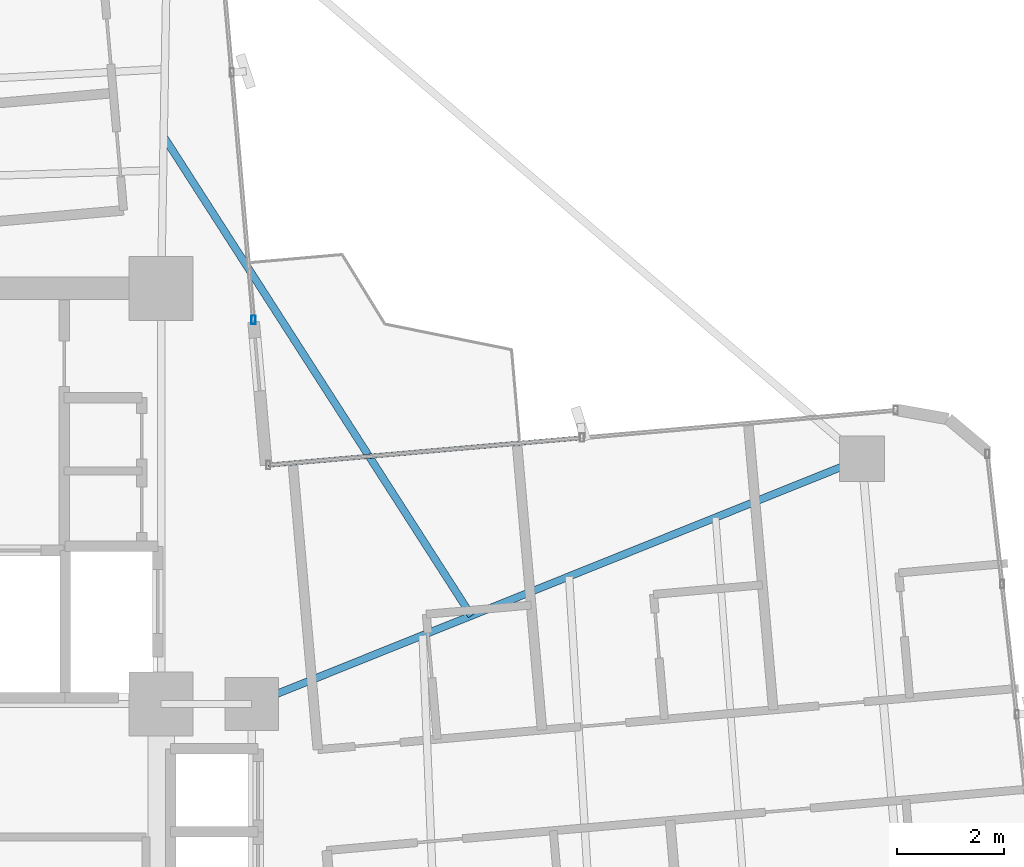
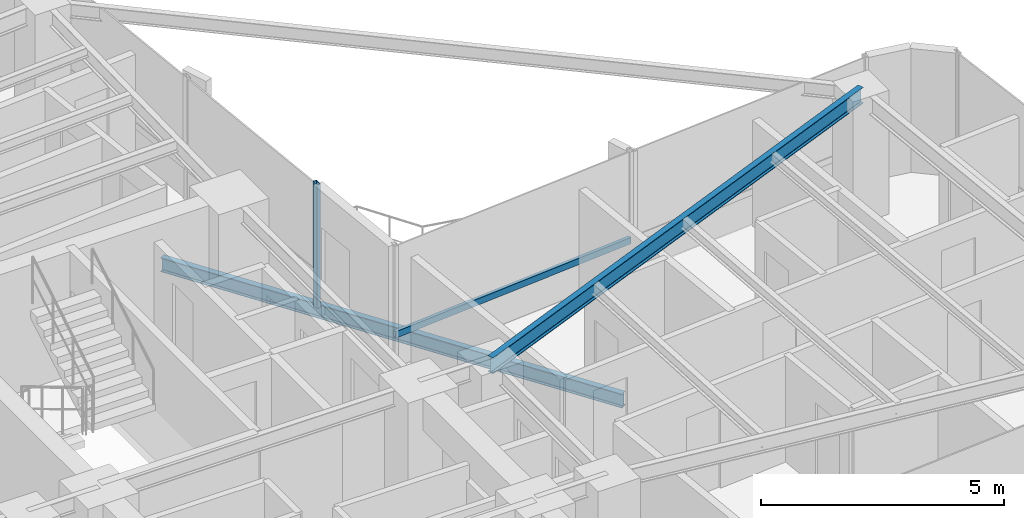
# One storey, part 12 of 24: 2 beams, 2 members, 2 elements without a shape of their own.
"""IFC4 building model written with IfcOpenShell, lengths in metres."""

from ifc_helpers import new_model, si_unit, direction, frame, origin, origin_2d, place, context, subcontext, project, spatial, hollow_rectangle, i_section, extrude, source, transform, mapped, material, material_profile, profile_set, type_object, element, aggregate, save


model = new_model("IFC4")

# Units and contexts
model_context = context("Model", 3, precision=1e-05, world=origin(), true_north=direction((0.0, 1.0)))
body_context = subcontext(model_context, "Body", "Model", "MODEL_VIEW")
ifc_project = project(units=[si_unit("LENGTHUNIT", "METRE"), si_unit("AREAUNIT", "SQUARE_METRE"), si_unit("VOLUMEUNIT", "CUBIC_METRE"), si_unit("PLANEANGLEUNIT", "RADIAN"), si_unit("MASSUNIT", "GRAM", prefix="KILO")], contexts=[model_context])

# Site, building, storey
site_placement = place(None, origin())
site = spatial("IfcSite", under=ifc_project, at=site_placement, CompositionType="ELEMENT")
building_placement = place(site_placement, origin())
building = spatial("IfcBuilding", under=site, at=building_placement, Name="Sahyath Konkavel Grand Hotel", CompositionType="ELEMENT")
storey_placement = place(building_placement, frame((0.0, 0.0, 191.949951171875)))
storey = spatial("IfcBuildingStorey", under=building, at=storey_placement, Name="L53", CompositionType="ELEMENT", Elevation=191.949951171875)

# Beam
ifc_material_1 = material(Name="Steel E350", Category="steel")
ifc_material_profile_1 = material_profile(ifc_material_1, i_section(OverallWidth=0.139892578125, OverallDepth=0.39990234375, WebThickness=0.0087890625, FlangeThickness=0.01611328125, FilletRadius=0.013916015625, at=origin_2d()), Name="ISMB 400")
ifc_profile_set_1 = profile_set([ifc_material_profile_1], Name="Steel E350")
beam_type_1 = type_object("IfcBeamType", Name="BM-ISMB400", PredefinedType="BEAM", material=ifc_profile_set_1)
shared_shape_1 = source(origin(), body_context, "Body", "SweptSolid", [
    extrude(i_section(OverallWidth=0.139892578125, OverallDepth=0.39990234375, WebThickness=0.0087890625, FlangeThickness=0.01611328125, FilletRadius=0.013916015625, at=origin_2d()), origin(), (0.0, 0.0, 1.0), 12.344970703125),
])
beam_1_placement = place(storey_placement, frame((5.5, 2.39990234375, 2.91015625), z_axis=(0.927837014101, 0.372985891507, 0.0), x_axis=(-0.372985891507, 0.927837014101, 0.0)))
element("IfcBeam", 1, at=beam_1_placement, inside=storey, type_object=beam_type_1, Name="L53 Cruciform Radial Girder EB", PredefinedType="BEAM", context=body_context, shape_type="MappedRepresentation", body=[
    mapped(shared_shape_1, transform((0.0, 0.0, 0.0), scale=1.0)),
])

# Curtain wall, member
ifc_material_2 = material(Name="Anodised Bronze Aluminium & Low-E Glazing", Category="aluminium")
curtain_wall_type = type_object("IfcCurtainWallType", Name="CW-ZONE3", PredefinedType="NOTDEFINED", material=ifc_material_2)
curtain_wall_1_placement = place(storey_placement, origin())
curtain_wall_1 = element("IfcCurtainWall", 2, at=curtain_wall_1_placement, inside=storey, type_object=curtain_wall_type, Name="L53 Unitised Curtain Wall F8", PredefinedType="NOTDEFINED")
ifc_material_3 = material(Name="Anodised Bronze Aluminium", Category="aluminium")
ifc_material_profile_2 = material_profile(ifc_material_3, hollow_rectangle(XDim=0.080078125, YDim=0.159912109375, WallThickness=0.006103515625, at=origin_2d()), Name="RHS 160x80x6")
ifc_profile_set_2 = profile_set([ifc_material_profile_2], Name="Anodised Bronze Aluminium")
member_type_1 = type_object("IfcMemberType", Name="CW-MUL-160", PredefinedType="MULLION", material=ifc_profile_set_2)
shared_shape_2 = source(origin(), body_context, "Body", "SweptSolid", [
    extrude(hollow_rectangle(XDim=0.080078125, YDim=0.159912109375, WallThickness=0.006103515625, at=origin_2d()), origin(), (0.0, 0.0, 1.0), 3.110107421875),
])
member_1_placement = place(storey_placement, frame((5.53369140625, 9.60888671875, 0.0), z_axis=(0.0, 0.0, 1.0), x_axis=(1.0, 0.0, 0.0)))
member_1 = element("IfcMember", 3, at=member_1_placement, type_object=member_type_1, Name="L53 Curtain Wall Mullion F8-0", PredefinedType="MULLION", context=body_context, shape_type="MappedRepresentation", body=[
    mapped(shared_shape_2, transform((0.0, 0.0, 0.0), scale=1.0)),
])
aggregate(curtain_wall_1, [member_1])

curtain_wall_2_placement = place(storey_placement, origin())
curtain_wall_2 = element("IfcCurtainWall", 4, at=curtain_wall_2_placement, inside=storey, type_object=curtain_wall_type, Name="L53 Unitised Curtain Wall F7", PredefinedType="NOTDEFINED")
ifc_material_profile_3 = material_profile(ifc_material_3, hollow_rectangle(XDim=0.080078125, YDim=0.159912109375, WallThickness=0.006103515625, at=origin_2d()), Name="RHS 160x80x6")
ifc_profile_set_3 = profile_set([ifc_material_profile_3], Name="Anodised Bronze Aluminium")
member_type_2 = type_object("IfcMemberType", Name="CW-TRN-160", PredefinedType="USERDEFINED", material=ifc_profile_set_3)
shared_shape_3 = source(origin(), body_context, "Body", "SweptSolid", [
    extrude(hollow_rectangle(XDim=0.080078125, YDim=0.159912109375, WallThickness=0.006103515625, at=origin_2d()), origin(), (0.0, 0.0, 1.0), 5.909912109375),
])
member_2_placement = place(storey_placement, frame((11.69970703125, 7.39794921875, 0.85009765625), z_axis=(-0.996193941691, -0.087164388014, 0.0), x_axis=(0.087164388014, -0.996193941691, 0.0)))
member_2 = element("IfcMember", 5, at=member_2_placement, type_object=member_type_2, Name="L53 Curtain Wall Transom F7-1-spandrel", ObjectType="TRANSOM", PredefinedType="USERDEFINED", context=body_context, shape_type="MappedRepresentation", body=[
    mapped(shared_shape_3, transform((0.0, 0.0, 0.0), scale=1.0)),
])
aggregate(curtain_wall_2, [member_2])

# Beam
ifc_material_profile_4 = material_profile(ifc_material_1, i_section(OverallWidth=0.139892578125, OverallDepth=0.35009765625, WebThickness=0.008056640625, FlangeThickness=0.01416015625, FilletRadius=0.013916015625, at=origin_2d()), Name="ISMB 350")
ifc_profile_set_4 = profile_set([ifc_material_profile_4], Name="Steel E350")
beam_type_2 = type_object("IfcBeamType", Name="BM-BALC-CANT", PredefinedType="BEAM", material=ifc_profile_set_4)
shared_shape_4 = source(origin(), body_context, "Body", "SweptSolid", [
    extrude(i_section(OverallWidth=0.139892578125, OverallDepth=0.35009765625, WebThickness=0.008056640625, FlangeThickness=0.01416015625, FilletRadius=0.013916015625, at=origin_2d()), origin(), (0.0, 0.0, 1.0), 10.685302734375),
])
beam_2_placement = place(storey_placement, frame((9.62353515625, 4.0576171875, -0.4150390625), z_axis=(-0.540404181048, 0.841405562797, 0.0), x_axis=(-0.841405562797, -0.540404181048, 0.0)))
element("IfcBeam", 6, at=beam_2_placement, inside=storey, type_object=beam_type_2, Name="L53 Balcony Cantilever Support Beam NE", PredefinedType="BEAM", context=body_context, shape_type="MappedRepresentation", body=[
    mapped(shared_shape_4, transform((0.0, 0.0, 0.0), scale=1.0)),
])

save(model, "model.ifc")
